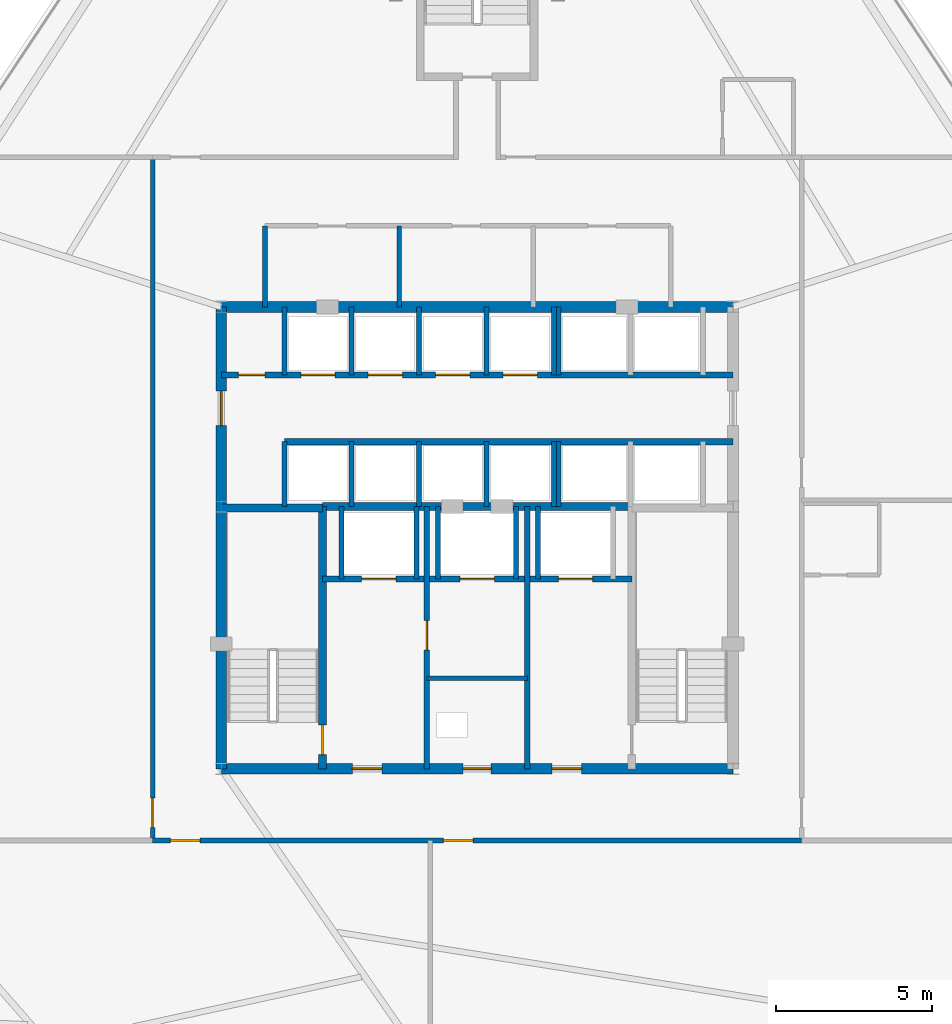
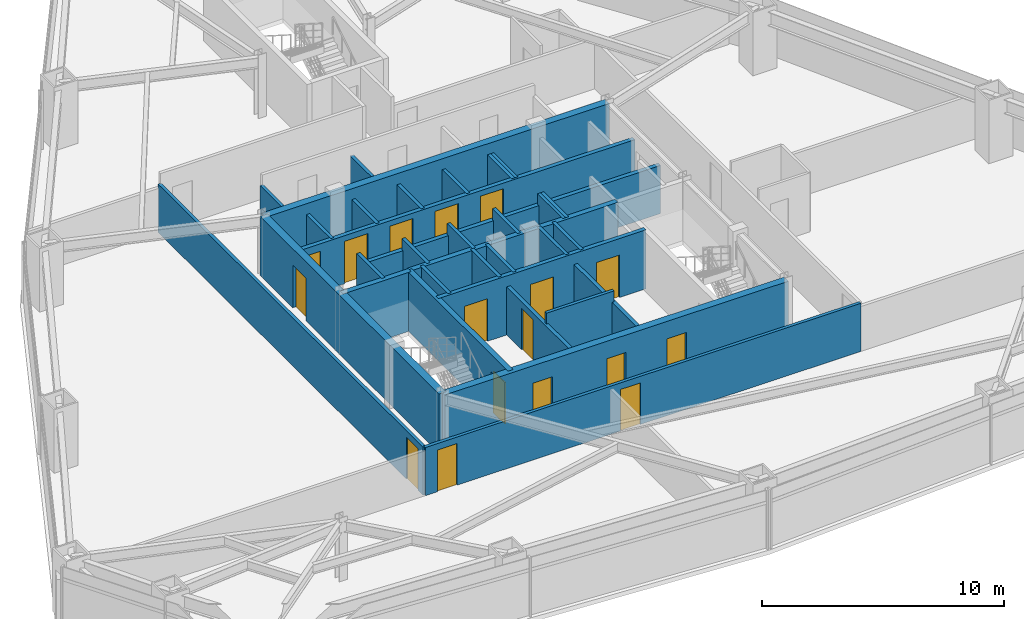
# One storey, part 9 of 12: 33 walls, 17 doors, 17 openings.
"""IFC4 building model written with IfcOpenShell, lengths in metres."""

import ifcopenshell
import ifcopenshell.guid

model = None  # the IFC model being written
_history = None  # IfcOwnerHistory: only IFC2X3 demands one
_inside = {}  # id of a spatial element -> (the spatial element, [elements in it])
_under = {}  # id of a project, library or spatial element -> (it, [spatial elements below it])
_declared = {}  # id of a project -> (the project, [libraries it declares])
_typed = {}  # id of a type object -> (the type object, [elements of that type])
_made_of = {}  # id of a material, layer set ... -> (it, [elements and type objects made of it])


def new_model(schema):
    """Start an empty IFC model of exactly this schema.

    Asked for "IFC4X3", IfcOpenShell would pick the latest addendum, in which some entities
    have other attributes; the version numbers below select the first issue.
    IFC2X3 requires an IfcOwnerHistory on every rooted entity: one is made here for all.
    """
    global model, _history
    if schema == "IFC4X3":
        model = ifcopenshell.file(schema_version=(4, 3, 0, 0))
    else:
        model = ifcopenshell.file(schema=schema)
    _inside.clear()
    _under.clear()
    _declared.clear()
    _typed.clear()
    _made_of.clear()
    _history = None
    if model.schema == "IFC2X3":
        org = make("IfcOrganization", Name="unknown")
        user = make(
            "IfcPersonAndOrganization",
            ThePerson=make("IfcPerson", FamilyName="unknown"),
            TheOrganization=org,
        )
        app = make(
            "IfcApplication",
            ApplicationDeveloper=org,
            Version="unknown",
            ApplicationFullName="unknown",
            ApplicationIdentifier="unknown",
        )
        _history = make(
            "IfcOwnerHistory",
            OwningUser=user,
            OwningApplication=app,
            ChangeAction="ADDED",
            CreationDate=0,
        )
    return model


def make(cls, **values):
    """One entity of the class cls with the attributes given. An attribute that is None is left unset."""
    return model.create_entity(
        cls, **{name: value for name, value in values.items() if value is not None}
    )


def rooted(cls, **values):
    """An entity with a GlobalId (a new one), such as an element, a storey or a relation."""
    return make(cls, GlobalId=ifcopenshell.guid.new(), OwnerHistory=_history, **values)


def si_unit(unit_type, name, prefix=None):
    """IfcSIUnit, for example si_unit("LENGTHUNIT", "METRE", prefix="MILLI")."""
    return make("IfcSIUnit", UnitType=unit_type, Prefix=prefix, Name=name)


def assignment(units):
    """IfcUnitAssignment: the units of a project."""
    return None if units is None else make("IfcUnitAssignment", Units=units)


def point(xyz):
    """IfcCartesianPoint."""
    return None if xyz is None else make("IfcCartesianPoint", Coordinates=xyz)


def direction(xyz):
    """IfcDirection."""
    return None if xyz is None else make("IfcDirection", DirectionRatios=xyz)


def frame(location, z_axis=None, x_axis=None):
    """IfcAxis2Placement3D, a coordinate frame: its origin and axes. An axis left out is left unset."""
    return make(
        "IfcAxis2Placement3D",
        Location=point(location),
        Axis=direction(z_axis),
        RefDirection=direction(x_axis),
    )


def frame_2d(location, x_axis=None):
    """IfcAxis2Placement2D, a coordinate frame in the plane: its origin and x axis."""
    return make(
        "IfcAxis2Placement2D", Location=point(location), RefDirection=direction(x_axis)
    )


def origin():
    """The frame at (0, 0, 0) with its axes left unset."""
    return frame((0.0, 0.0, 0.0))


def place(relative_to, where):
    """IfcLocalPlacement: puts the frame where relative to a parent placement (None: the world)."""
    return make(
        "IfcLocalPlacement", PlacementRelTo=relative_to, RelativePlacement=where
    )


def context(
    kind, dimensions, precision=None, world=None, true_north=None, identifier=None
):
    """IfcGeometricRepresentationContext, for example the 3D "Model" context."""
    return make(
        "IfcGeometricRepresentationContext",
        ContextIdentifier=identifier,
        ContextType=kind,
        CoordinateSpaceDimension=dimensions,
        Precision=precision,
        WorldCoordinateSystem=world,
        TrueNorth=true_north,
    )


def subcontext(parent, identifier, kind, view, scale=None):
    """IfcGeometricRepresentationSubContext, for example "Body" below "Model"."""
    return make(
        "IfcGeometricRepresentationSubContext",
        ContextIdentifier=identifier,
        ContextType=kind,
        ParentContext=parent,
        TargetScale=scale,
        TargetView=view,
    )


def project(units=None, contexts=None):
    """IfcProject with its units and contexts."""
    return rooted(
        "IfcProject",
        Name="project",
        RepresentationContexts=contexts,
        UnitsInContext=assignment(units),
    )


def spatial(cls, under=None, at=None, **own):
    """A site, building, storey or space (cls), placed at a placement, below another one or the project."""
    s = rooted(cls, ObjectPlacement=at, **own)
    if under is not None:
        _under.setdefault(under.id(), (under, []))[1].append(s)
    return s


def profile(cls, at=None, kind="AREA", **sizes):
    """A parametric profile (cls). Its sizes go by their IFC names, for example OverallWidth=200.0."""
    return make(cls, ProfileType=kind, Position=at, **sizes)


def rectangle(**sizes):
    """IfcRectangleProfileDef."""
    return profile("IfcRectangleProfileDef", **sizes)


def extrude(swept, where, along, depth):
    """IfcExtrudedAreaSolid: the profile swept, set in the frame where, extruded along a direction by depth."""
    return make(
        "IfcExtrudedAreaSolid",
        SweptArea=swept,
        Position=where,
        ExtrudedDirection=direction(along),
        Depth=depth,
    )


def shape(context_of_items, identifier, shape_type, items):
    """IfcShapeRepresentation: the items that make up one representation, for example the "Body"."""
    return make(
        "IfcShapeRepresentation",
        ContextOfItems=context_of_items,
        RepresentationIdentifier=identifier,
        RepresentationType=shape_type,
        Items=items,
    )


def material(Name=None, Category=None):
    """IfcMaterial."""
    return make("IfcMaterial", Name=Name, Category=Category)


def layer(
    of_material, thickness, ventilated=None, Name=None, Category=None, Priority=None
):
    """IfcMaterialLayer: one layer of a wall or slab, of a material (None: an air gap)."""
    return make(
        "IfcMaterialLayer",
        Material=of_material,
        LayerThickness=thickness,
        IsVentilated=ventilated,
        Name=Name,
        Category=Category,
        Priority=Priority,
    )


def layer_set(layers, Name=None):
    """IfcMaterialLayerSet."""
    return make("IfcMaterialLayerSet", MaterialLayers=layers, LayerSetName=Name)


def made_of(thing, what):
    """Note that an element or type object is made of a material, layer set ...; save() writes the relation."""
    if what is not None:
        _made_of.setdefault(what.id(), (what, []))[1].append(thing)
    return thing


def type_object(cls, material=None, **own):
    """A type object (cls), such as IfcWallType, which elements share."""
    return made_of(rooted(cls, **own), material)


def element(
    cls,
    number,
    at=None,
    inside=None,
    cuts=None,
    type_object=None,
    material=None,
    context=None,
    identifier="Body",
    shape_type=None,
    held_by="IfcProductDefinitionShape",
    body=None,
    shapes=None,
    **own,
):
    """One element of the class cls, such as IfcWall. Its Tag is "e" and its number.

    at: its placement. inside: the storey or other place that contains it. cuts: it is an
    opening in that element (IfcRelVoidsElement). A single representation is given by context,
    identifier, shape_type and body (its items); several are given by shapes. held_by: the class
    of the entity that holds the representations. save() writes the other relations.
    """
    e = rooted(cls, Tag="e%d" % number, ObjectPlacement=at, **own)
    if body is not None:
        shapes = [shape(context, identifier, shape_type, body)]
    if shapes is not None:
        e.Representation = make(held_by, Representations=shapes)
    if inside is not None:
        _inside.setdefault(inside.id(), (inside, []))[1].append(e)
    if cuts is not None:
        rooted(
            "IfcRelVoidsElement", RelatingBuildingElement=cuts, RelatedOpeningElement=e
        )
    if type_object is not None:
        _typed.setdefault(type_object.id(), (type_object, []))[1].append(e)
    return made_of(e, material)


def fill(opening, filler):
    """IfcRelFillsElement: the door or window that sits in an opening."""
    return rooted(
        "IfcRelFillsElement",
        RelatingOpeningElement=opening,
        RelatedBuildingElement=filler,
    )


def aggregate(whole, parts):
    """IfcRelAggregates: a whole, such as a stair, and the parts it consists of."""
    return rooted("IfcRelAggregates", RelatingObject=whole, RelatedObjects=parts)


def save(model, path):
    """Write the relations noted so far, then the file.

    IfcRelAggregates (storeys below a building ...), IfcRelContainedInSpatialStructure (elements
    in a storey), IfcRelDefinesByType, IfcRelAssociatesMaterial and IfcRelDeclares: one each for
    every whole, place, type object, material and project.
    """
    for whole, parts in _under.values():
        aggregate(whole, parts)
    for where, things in _inside.values():
        rooted(
            "IfcRelContainedInSpatialStructure",
            RelatedElements=things,
            RelatingStructure=where,
        )
    for kind, things in _typed.values():
        rooted("IfcRelDefinesByType", RelatedObjects=things, RelatingType=kind)
    for what, things in _made_of.values():
        rooted("IfcRelAssociatesMaterial", RelatedObjects=things, RelatingMaterial=what)
    for by, libraries in _declared.values():
        rooted("IfcRelDeclares", RelatingContext=by, RelatedDefinitions=libraries)
    model.write(path)


model = new_model("IFC4")

# Units and contexts
model_context = context("Model", 3, precision=1e-05, world=origin(), true_north=direction((0.0, 1.0)))
body_context = subcontext(model_context, "Body", "Model", "MODEL_VIEW")
ifc_project = project(units=[si_unit("LENGTHUNIT", "METRE"), si_unit("AREAUNIT", "SQUARE_METRE"), si_unit("VOLUMEUNIT", "CUBIC_METRE"), si_unit("PLANEANGLEUNIT", "RADIAN"), si_unit("MASSUNIT", "GRAM", prefix="KILO")], contexts=[model_context])

# Site, building, storey
site_placement = place(None, origin())
site = spatial("IfcSite", under=ifc_project, at=site_placement, CompositionType="ELEMENT")
building_placement = place(site_placement, origin())
building = spatial("IfcBuilding", under=site, at=building_placement, Name="Varakhsha Concourse Tower", CompositionType="ELEMENT")
storey_placement = place(building_placement, frame((0.0, 0.0, 62.39990234375)))
storey = spatial("IfcBuildingStorey", under=building, at=storey_placement, Name="L17", CompositionType="ELEMENT", Elevation=62.39990234375)

# Wall, openings, doors
ifc_material_1 = material(Name="Concrete fc 65 MPa", Category="concrete")
ifc_layer_1 = layer(ifc_material_1, 0.35009765625, Name="WL-CORE-350")
ifc_layer_set_1 = layer_set([ifc_layer_1], Name="Concrete fc 65 MPa")
wall_type_1 = type_object("IfcWallType", Name="WL-CORE-350", PredefinedType="SHEAR", material=ifc_layer_set_1)
wall_1_placement = place(storey_placement, frame((31.800048828125, 16.39990234375, 0.0), z_axis=(0.0, 0.0, 1.0), x_axis=(1.0, 0.0, 0.0)))
wall_1 = element("IfcWall", 1, at=wall_1_placement, inside=storey, type_object=wall_type_1, Name="L17 Wall CWALL-S-L17", PredefinedType="SHEAR", context=body_context, shape_type="SweptSolid", body=[
    extrude(rectangle(XDim=16.39990234375, YDim=0.35009765625, at=frame_2d((8.199951171875, 0.0))), origin(), (0.0, 0.0, 1.0), 2.97998046875),
])
opening_1_placement = place(wall_1_placement, frame((7.75, 0.0, 0.0)))
opening_1 = element("IfcOpeningElement", 2, at=opening_1_placement, cuts=wall_1, Name="Opening DF-06", PredefinedType="OPENING", context=body_context, shape_type="SweptSolid", body=[
    extrude(rectangle(XDim=0.89990234375, YDim=2.10009765625, at=frame_2d((0.449951171875, 1.050048828125))), frame((0.0, 0.18505859375, 0.0), z_axis=(0.0, -1.0, 0.0), x_axis=(1.0, 0.0, 0.0)), (0.0, 0.0, 1.0), 0.3701171875),
])
opening_2_placement = place(wall_1_placement, frame((4.199951171875, 0.0, 0.0)))
opening_2 = element("IfcOpeningElement", 3, at=opening_2_placement, cuts=wall_1, Name="Opening DF-05", PredefinedType="OPENING", context=body_context, shape_type="SweptSolid", body=[
    extrude(rectangle(XDim=0.949951171875, YDim=2.10009765625, at=frame_2d((0.47509765625, 1.050048828125))), frame((0.0, 0.18505859375, 0.0), z_axis=(0.0, -1.0, 0.0), x_axis=(1.0, 0.0, 0.0)), (0.0, 0.0, 1.0), 0.3701171875),
])
opening_3_placement = place(wall_1_placement, frame((10.60009765625, 0.0, 0.0)))
opening_3 = element("IfcOpeningElement", 4, at=opening_3_placement, cuts=wall_1, Name="Opening DF-05", PredefinedType="OPENING", context=body_context, shape_type="SweptSolid", body=[
    extrude(rectangle(XDim=0.949951171875, YDim=2.10009765625, at=frame_2d((0.47509765625, 1.050048828125))), frame((0.0, 0.18505859375, 0.0), z_axis=(0.0, -1.0, 0.0), x_axis=(1.0, 0.0, 0.0)), (0.0, 0.0, 1.0), 0.3701171875),
])
ifc_material_2 = material(Name="Hollow Galvanised Steel Fire Door Assembly", Category="steel")
door_type_1 = type_object("IfcDoorType", Name="DR-FD60-900", OperationType="NOTDEFINED", PredefinedType="DOOR", material=ifc_material_2)
door_1_placement = place(opening_1_placement, origin())
door_1 = element("IfcDoor", 5, at=door_1_placement, inside=storey, type_object=door_type_1, Name="L17 Electrical Riser Access Door", OperationType="SINGLE_SWING_LEFT", OverallHeight=2.10009765625, OverallWidth=0.89990234375, PredefinedType="DOOR", context=body_context, shape_type="SweptSolid", body=[
    extrude(rectangle(XDim=0.89990234375, YDim=2.10009765625, at=frame_2d((0.449951171875, 1.050048828125))), frame((0.0, 0.02490234375, 0.0), z_axis=(0.0, -1.0, 0.0), x_axis=(1.0, 0.0, 0.0)), (0.0, 0.0, 1.0), 0.050048828125),
])
fill(opening_1, door_1)
door_type_2 = type_object("IfcDoorType", Name="DR-FD60-950", OperationType="NOTDEFINED", PredefinedType="DOOR", material=ifc_material_2)
door_2_placement = place(opening_2_placement, origin())
door_2 = element("IfcDoor", 6, at=door_2_placement, inside=storey, type_object=door_type_2, Name="L17 Firefighting Lobby West Door", OperationType="SINGLE_SWING_RIGHT", OverallHeight=2.10009765625, OverallWidth=0.949951171875, PredefinedType="DOOR", context=body_context, shape_type="SweptSolid", body=[
    extrude(rectangle(XDim=0.949951171875, YDim=2.10009765625, at=frame_2d((0.47509765625, 1.050048828125))), frame((0.0, 0.02490234375, 0.0), z_axis=(0.0, -1.0, 0.0), x_axis=(1.0, 0.0, 0.0)), (0.0, 0.0, 1.0), 0.050048828125),
])
fill(opening_2, door_2)
door_3_placement = place(opening_3_placement, origin())
door_3 = element("IfcDoor", 7, at=door_3_placement, inside=storey, type_object=door_type_2, Name="L17 Firefighting Lobby East Door", OperationType="SINGLE_SWING_LEFT", OverallHeight=2.10009765625, OverallWidth=0.949951171875, PredefinedType="DOOR", context=body_context, shape_type="SweptSolid", body=[
    extrude(rectangle(XDim=0.949951171875, YDim=2.10009765625, at=frame_2d((0.47509765625, 1.050048828125))), frame((0.0, 0.02490234375, 0.0), z_axis=(0.0, -1.0, 0.0), x_axis=(1.0, 0.0, 0.0)), (0.0, 0.0, 1.0), 0.050048828125),
])
fill(opening_3, door_3)

# Wall
wall_2_placement = place(storey_placement, frame((31.800048828125, 31.199951171875, 0.0), z_axis=(0.0, 0.0, 1.0), x_axis=(1.0, 0.0, 0.0)))
element("IfcWall", 8, at=wall_2_placement, inside=storey, type_object=wall_type_1, Name="L17 Wall CWALL-N-L17", PredefinedType="SHEAR", context=body_context, shape_type="SweptSolid", body=[
    extrude(rectangle(XDim=16.39990234375, YDim=0.35009765625, at=frame_2d((8.199951171875, 0.0))), origin(), (0.0, 0.0, 1.0), 2.97998046875),
])

# Wall, opening, door
wall_3_placement = place(storey_placement, frame((31.800048828125, 16.39990234375, 0.0), z_axis=(0.0, 0.0, 1.0), x_axis=(0.0, 1.0, 0.0)))
wall_3 = element("IfcWall", 9, at=wall_3_placement, inside=storey, type_object=wall_type_1, Name="L17 Wall CWALL-W-L17", PredefinedType="SHEAR", context=body_context, shape_type="SweptSolid", body=[
    extrude(rectangle(XDim=14.800048828125, YDim=0.35009765625, at=frame_2d((7.39990234375, 0.0))), origin(), (0.0, 0.0, 1.0), 2.97998046875),
])
opening_4_placement = place(wall_3_placement, frame((11.0, 0.0, 0.0)))
opening_4 = element("IfcOpeningElement", 10, at=opening_4_placement, cuts=wall_3, Name="Opening DL-01", PredefinedType="OPENING", context=body_context, shape_type="SweptSolid", body=[
    extrude(rectangle(XDim=1.10009765625, YDim=2.14990234375, at=frame_2d((0.550048828125, 1.074951171875))), frame((0.0, 0.18505859375, 0.0), z_axis=(0.0, -1.0, 0.0), x_axis=(1.0, 0.0, 0.0)), (0.0, 0.0, 1.0), 0.3701171875),
])
ifc_material_3 = material(Name="Anodised Bronze Architectural Aluminium AA 6063-T6", Category="aluminium")
door_type_3 = type_object("IfcDoorType", Name="DR-LOB-1100", OperationType="NOTDEFINED", PredefinedType="DOOR", material=ifc_material_3)
door_4_placement = place(opening_4_placement, origin())
door_4 = element("IfcDoor", 11, at=door_4_placement, inside=storey, type_object=door_type_3, Name="L17 Lift Lobby West Concourse Door", OperationType="SINGLE_SWING_LEFT", OverallHeight=2.14990234375, OverallWidth=1.10009765625, PredefinedType="DOOR", context=body_context, shape_type="SweptSolid", body=[
    extrude(rectangle(XDim=1.10009765625, YDim=2.14990234375, at=frame_2d((0.550048828125, 1.074951171875))), frame((0.0, 0.02490234375, 0.0), z_axis=(0.0, -1.0, 0.0), x_axis=(1.0, 0.0, 0.0)), (0.0, 0.0, 1.0), 0.050048828125),
])
fill(opening_4, door_4)

ifc_material_4 = material(Name="Fire-Rated Type X Gypsum Partition Assembly", Category="gypsum")
ifc_layer_2 = layer(ifc_material_4, 0.179931640625, Name="WL-FFLOB-180")
ifc_layer_set_2 = layer_set([ifc_layer_2], Name="Fire-Rated Type X Gypsum Partition Assembly")
wall_type_2 = type_object("IfcWallType", Name="WL-FFLOB-180", PredefinedType="PARTITIONING", material=ifc_layer_set_2)
wall_4_placement = place(storey_placement, frame((38.389892578125, 16.39990234375, 0.0), z_axis=(0.0, 0.0, 1.0), x_axis=(0.0, 1.0, 0.0)))
wall_4 = element("IfcWall", 12, at=wall_4_placement, inside=storey, type_object=wall_type_2, Name="L17 Wall FFW-1E-L17", PredefinedType="PARTITIONING", context=body_context, shape_type="SweptSolid", body=[
    extrude(rectangle(XDim=8.400146484375, YDim=0.179931640625, at=frame_2d((4.2001953125, 0.0))), origin(), (0.0, 0.0, 1.0), 2.43115234375),
])
opening_5_placement = place(wall_4_placement, frame((3.800048828125, 0.0, 0.0)))
opening_5 = element("IfcOpeningElement", 13, at=opening_5_placement, cuts=wall_4, Name="Opening DF-05", PredefinedType="OPENING", context=body_context, shape_type="SweptSolid", body=[
    extrude(rectangle(XDim=0.949951171875, YDim=2.10009765625, at=frame_2d((0.47509765625, 1.050048828125))), frame((0.0, 0.099853515625, 0.0), z_axis=(0.0, -1.0, 0.0), x_axis=(1.0, 0.0, 0.0)), (0.0, 0.0, 1.0), 0.199951171875),
])
door_5_placement = place(opening_5_placement, origin())
door_5 = element("IfcDoor", 14, at=door_5_placement, inside=storey, type_object=door_type_2, Name="L17 Service Vestibule Door", OperationType="SINGLE_SWING_RIGHT", OverallHeight=2.10009765625, OverallWidth=0.949951171875, PredefinedType="DOOR", context=body_context, shape_type="SweptSolid", body=[
    extrude(rectangle(XDim=0.949951171875, YDim=2.10009765625, at=frame_2d((0.47509765625, 1.050048828125))), frame((0.0, 0.02490234375, 0.0), z_axis=(0.0, -1.0, 0.0), x_axis=(1.0, 0.0, 0.0)), (0.0, 0.0, 1.0), 0.050048828125),
])
fill(opening_5, door_5)

# Walls
wall_5_placement = place(storey_placement, frame((41.610107421875, 16.39990234375, 0.0), z_axis=(0.0, 0.0, 1.0), x_axis=(0.0, 1.0, 0.0)))
element("IfcWall", 15, at=wall_5_placement, inside=storey, type_object=wall_type_2, Name="L17 Wall FFW-2W-L17", PredefinedType="PARTITIONING", context=body_context, shape_type="SweptSolid", body=[
    extrude(rectangle(XDim=8.400146484375, YDim=0.179931640625, at=frame_2d((4.2001953125, 0.0))), origin(), (0.0, 0.0, 1.0), 2.43115234375),
])
ifc_layer_3 = layer(ifc_material_4, 0.14990234375, Name="WL-PART-150")
ifc_layer_set_3 = layer_set([ifc_layer_3], Name="Fire-Rated Type X Gypsum Partition Assembly")
wall_type_3 = type_object("IfcWallType", Name="WL-PART-150", PredefinedType="PARTITIONING", material=ifc_layer_set_3)
wall_6_placement = place(storey_placement, frame((38.389892578125, 19.300048828125, 0.0), z_axis=(0.0, 0.0, 1.0), x_axis=(1.0, 0.0, 0.0)))
element("IfcWall", 16, at=wall_6_placement, inside=storey, type_object=wall_type_3, Name="L17 Wall RSW-H-L17", PredefinedType="PARTITIONING", context=body_context, shape_type="SweptSolid", body=[
    extrude(rectangle(XDim=3.22021484375, YDim=0.14990234375, at=frame_2d((1.610107421875, 0.0))), origin(), (0.0, 0.0, 1.0), 2.97998046875),
])
for number, where, z_axis, x_axis, name in (
    (17, (33.199951171875, 31.199951171875, 0.0), (0.0, 0.0, 1.0), (0.0, 1.0, 0.0), "L17 Wall NBOH-W-L17"),
    (18, (37.5, 31.199951171875, 0.0), (0.0, 0.0, 1.0), (0.0, 1.0, 0.0), "L17 Wall NBOH-D1-L17"),
):
    element("IfcWall", number, at=place(storey_placement, frame(where, z_axis=z_axis, x_axis=x_axis)), inside=storey, type_object=wall_type_3, Name=name, PredefinedType="PARTITIONING", context=body_context, shape_type="SweptSolid", body=[
        extrude(rectangle(XDim=2.60009765625, YDim=0.14990234375, at=frame_2d((1.300048828125, 0.0))), origin(), (0.0, 0.0, 1.0), 2.43115234375),
    ])

# Wall, openings, doors
wall_7_placement = place(storey_placement, frame((29.60009765625, 14.10009765625, 0.0), z_axis=(0.0, 0.0, 1.0), x_axis=(1.0, 0.0, 0.0)))
wall_7 = element("IfcWall", 19, at=wall_7_placement, inside=storey, type_object=wall_type_3, Name="L17 Wall CRW-S-L17", PredefinedType="PARTITIONING", context=body_context, shape_type="SweptSolid", body=[
    extrude(rectangle(XDim=20.7998046875, YDim=0.14990234375, at=frame_2d((10.39990234375, 0.0))), origin(), (0.0, 0.0, 1.0), 2.43115234375),
])
opening_6_placement = place(wall_7_placement, frame((0.570068359375, 0.0, 0.0)))
opening_6 = element("IfcOpeningElement", 20, at=opening_6_placement, cuts=wall_7, Name="Opening DF-05", PredefinedType="OPENING", context=body_context, shape_type="SweptSolid", body=[
    extrude(rectangle(XDim=0.949951171875, YDim=2.10009765625, at=frame_2d((0.47509765625, 1.050048828125))), frame((0.0, 0.0849609375, 0.0), z_axis=(0.0, -1.0, 0.0), x_axis=(1.0, 0.0, 0.0)), (0.0, 0.0, 1.0), 0.169921875),
])
opening_7_placement = place(wall_7_placement, frame((9.320068359375, 0.0, 0.0)))
opening_7 = element("IfcOpeningElement", 21, at=opening_7_placement, cuts=wall_7, Name="Opening DF-05", PredefinedType="OPENING", context=body_context, shape_type="SweptSolid", body=[
    extrude(rectangle(XDim=0.949951171875, YDim=2.10009765625, at=frame_2d((0.47509765625, 1.050048828125))), frame((0.0, 0.0849609375, 0.0), z_axis=(0.0, -1.0, 0.0), x_axis=(1.0, 0.0, 0.0)), (0.0, 0.0, 1.0), 0.169921875),
])
door_6_placement = place(opening_6_placement, origin())
door_6 = element("IfcDoor", 22, at=door_6_placement, inside=storey, type_object=door_type_2, Name="L17 Hotel Executive Salon L17-H01 Door", OperationType="SINGLE_SWING_LEFT", OverallHeight=2.10009765625, OverallWidth=0.949951171875, PredefinedType="DOOR", context=body_context, shape_type="SweptSolid", body=[
    extrude(rectangle(XDim=0.949951171875, YDim=2.10009765625, at=frame_2d((0.47509765625, 1.050048828125))), frame((0.0, 0.02490234375, 0.0), z_axis=(0.0, -1.0, 0.0), x_axis=(1.0, 0.0, 0.0)), (0.0, 0.0, 1.0), 0.050048828125),
])
fill(opening_6, door_6)
door_7_placement = place(opening_7_placement, origin())
door_7 = element("IfcDoor", 23, at=door_7_placement, inside=storey, type_object=door_type_2, Name="L17 Diplomatic Conservatory Salon L17-H02 Door", OperationType="SINGLE_SWING_RIGHT", OverallHeight=2.10009765625, OverallWidth=0.949951171875, PredefinedType="DOOR", context=body_context, shape_type="SweptSolid", body=[
    extrude(rectangle(XDim=0.949951171875, YDim=2.10009765625, at=frame_2d((0.47509765625, 1.050048828125))), frame((0.0, 0.02490234375, 0.0), z_axis=(0.0, -1.0, 0.0), x_axis=(1.0, 0.0, 0.0)), (0.0, 0.0, 1.0), 0.050048828125),
])
fill(opening_7, door_7)

# Wall, opening, door
wall_8_placement = place(storey_placement, frame((29.60009765625, 14.10009765625, 0.0), z_axis=(0.0, 0.0, 1.0), x_axis=(0.0, 1.0, 0.0)))
wall_8 = element("IfcWall", 24, at=wall_8_placement, inside=storey, type_object=wall_type_3, Name="L17 Wall CRW-W-L17", PredefinedType="PARTITIONING", context=body_context, shape_type="SweptSolid", body=[
    extrude(rectangle(XDim=21.89990234375, YDim=0.14990234375, at=frame_2d((10.949951171875, 0.0))), origin(), (0.0, 0.0, 1.0), 2.43115234375),
])
opening_8_placement = place(wall_8_placement, frame((0.419921875, 0.0, 0.0)))
opening_8 = element("IfcOpeningElement", 25, at=opening_8_placement, cuts=wall_8, Name="Opening DF-05", PredefinedType="OPENING", context=body_context, shape_type="SweptSolid", body=[
    extrude(rectangle(XDim=0.949951171875, YDim=2.10009765625, at=frame_2d((0.47509765625, 1.050048828125))), frame((0.0, 0.0849609375, 0.0), z_axis=(0.0, -1.0, 0.0), x_axis=(1.0, 0.0, 0.0)), (0.0, 0.0, 1.0), 0.169921875),
])
door_8_placement = place(opening_8_placement, origin())
door_8 = element("IfcDoor", 26, at=door_8_placement, inside=storey, type_object=door_type_2, Name="L17 Diplomatic Conservatory Salon L17-H03 Door", OperationType="SINGLE_SWING_LEFT", OverallHeight=2.10009765625, OverallWidth=0.949951171875, PredefinedType="DOOR", context=body_context, shape_type="SweptSolid", body=[
    extrude(rectangle(XDim=0.949951171875, YDim=2.10009765625, at=frame_2d((0.47509765625, 1.050048828125))), frame((0.0, 0.02490234375, 0.0), z_axis=(0.0, -1.0, 0.0), x_axis=(1.0, 0.0, 0.0)), (0.0, 0.0, 1.0), 0.050048828125),
])
fill(opening_8, door_8)

# Wall, openings, doors
ifc_layer_4 = layer(ifc_material_4, 0.199951171875, Name="WL-SHAFT-220")
ifc_layer_set_4 = layer_set([ifc_layer_4], Name="Fire-Rated Type X Gypsum Partition Assembly")
wall_type_4 = type_object("IfcWallType", Name="WL-SHAFT-220", PredefinedType="SOLIDWALL", material=ifc_layer_set_4)
wall_9_placement = place(storey_placement, frame((35.044921875, 22.47998046875, 0.0), z_axis=(0.0, 0.0, 1.0), x_axis=(1.0, 0.0, 0.0)))
wall_9 = element("IfcWall", 27, at=wall_9_placement, inside=storey, type_object=wall_type_4, Name="L17 Wall FFW-NH-L17", PredefinedType="SOLIDWALL", context=body_context, shape_type="SweptSolid", body=[
    extrude(rectangle(XDim=9.91015625, YDim=0.199951171875, at=frame_2d((4.955078125, 0.0))), origin(), (0.0, 0.0, 1.0), 2.97998046875),
])
opening_9_placement = place(wall_9_placement, frame((1.2548828125, 0.0, 0.0)))
opening_9 = element("IfcOpeningElement", 28, at=opening_9_placement, cuts=wall_9, Name="Opening LD-FFL-1", PredefinedType="OPENING", context=body_context, shape_type="SweptSolid", body=[
    extrude(rectangle(XDim=1.10009765625, YDim=2.14990234375, at=frame_2d((0.550048828125, 1.074951171875))), frame((0.0, 0.10986328125, 0.0), z_axis=(0.0, -1.0, 0.0), x_axis=(1.0, 0.0, 0.0)), (0.0, 0.0, 1.0), 0.219970703125),
])
opening_10_placement = place(wall_9_placement, frame((7.554931640625, 0.0, 0.0)))
opening_10 = element("IfcOpeningElement", 29, at=opening_10_placement, cuts=wall_9, Name="Opening LD-FFL-2", PredefinedType="OPENING", context=body_context, shape_type="SweptSolid", body=[
    extrude(rectangle(XDim=1.10009765625, YDim=2.14990234375, at=frame_2d((0.550048828125, 1.074951171875))), frame((0.0, 0.10986328125, 0.0), z_axis=(0.0, -1.0, 0.0), x_axis=(1.0, 0.0, 0.0)), (0.0, 0.0, 1.0), 0.219970703125),
])
opening_11_placement = place(wall_9_placement, frame((4.405029296875, 0.0, 0.0)))
opening_11 = element("IfcOpeningElement", 30, at=opening_11_placement, cuts=wall_9, Name="Opening LD-SVL-1", PredefinedType="OPENING", context=body_context, shape_type="SweptSolid", body=[
    extrude(rectangle(XDim=1.10009765625, YDim=2.14990234375, at=frame_2d((0.550048828125, 1.074951171875))), frame((0.0, 0.10986328125, 0.0), z_axis=(0.0, -1.0, 0.0), x_axis=(1.0, 0.0, 0.0)), (0.0, 0.0, 1.0), 0.219970703125),
])
ifc_material_5 = material(Name="Brushed Austenitic Stainless Steel AISI 316", Category="steel")
door_type_4 = type_object("IfcDoorType", Name="DR-LD-1100", OperationType="DOUBLE_DOOR_SLIDING", PredefinedType="DOOR", material=ifc_material_5)
door_9_placement = place(opening_9_placement, origin())
door_9 = element("IfcDoor", 31, at=door_9_placement, inside=storey, type_object=door_type_4, Name="Lift Landing Door FFL-1 L17", OperationType="DOUBLE_DOOR_SLIDING", OverallHeight=2.14990234375, OverallWidth=1.10009765625, PredefinedType="DOOR", context=body_context, shape_type="SweptSolid", body=[
    extrude(rectangle(XDim=1.10009765625, YDim=2.14990234375, at=frame_2d((0.550048828125, 1.074951171875))), frame((0.0, 0.02490234375, 0.0), z_axis=(0.0, -1.0, 0.0), x_axis=(1.0, 0.0, 0.0)), (0.0, 0.0, 1.0), 0.050048828125),
])
fill(opening_9, door_9)
door_10_placement = place(opening_10_placement, origin())
door_10 = element("IfcDoor", 32, at=door_10_placement, inside=storey, type_object=door_type_4, Name="Lift Landing Door FFL-2 L17", OperationType="DOUBLE_DOOR_SLIDING", OverallHeight=2.14990234375, OverallWidth=1.10009765625, PredefinedType="DOOR", context=body_context, shape_type="SweptSolid", body=[
    extrude(rectangle(XDim=1.10009765625, YDim=2.14990234375, at=frame_2d((0.550048828125, 1.074951171875))), frame((0.0, 0.02490234375, 0.0), z_axis=(0.0, -1.0, 0.0), x_axis=(1.0, 0.0, 0.0)), (0.0, 0.0, 1.0), 0.050048828125),
])
fill(opening_10, door_10)
door_11_placement = place(opening_11_placement, origin())
door_11 = element("IfcDoor", 33, at=door_11_placement, inside=storey, type_object=door_type_4, Name="Lift Landing Door SVL-1 L17", OperationType="DOUBLE_DOOR_SLIDING", OverallHeight=2.14990234375, OverallWidth=1.10009765625, PredefinedType="DOOR", context=body_context, shape_type="SweptSolid", body=[
    extrude(rectangle(XDim=1.10009765625, YDim=2.14990234375, at=frame_2d((0.550048828125, 1.074951171875))), frame((0.0, 0.02490234375, 0.0), z_axis=(0.0, -1.0, 0.0), x_axis=(1.0, 0.0, 0.0)), (0.0, 0.0, 1.0), 0.050048828125),
])
fill(opening_11, door_11)

# Walls
for number, where, z_axis, x_axis, name in (
    (34, (35.64990234375, 22.47998046875, 0.0), (0.0, 0.0, 1.0), (0.0, 1.0, 0.0), "L17 Wall SHW-FFL-1-W-L17"),
    (35, (38.050048828125, 22.47998046875, 0.0), (0.0, 0.0, 1.0), (0.0, 1.0, 0.0), "L17 Wall SHW-FFL-1-E-L17"),
    (36, (41.949951171875, 22.47998046875, 0.0), (0.0, 0.0, 1.0), (0.0, 1.0, 0.0), "L17 Wall SHW-FFL-2-W-L17"),
    (37, (38.75, 22.47998046875, 0.0), (0.0, 0.0, 1.0), (0.0, 1.0, 0.0), "L17 Wall SHW-SVL-1-W-L17"),
    (38, (41.25, 22.47998046875, 0.0), (0.0, 0.0, 1.0), (0.0, 1.0, 0.0), "L17 Wall SHW-SVL-1-E-L17"),
):
    element("IfcWall", number, at=place(storey_placement, frame(where, z_axis=z_axis, x_axis=x_axis)), inside=storey, type_object=wall_type_4, Name=name, PredefinedType="SOLIDWALL", context=body_context, shape_type="SweptSolid", body=[
        extrude(rectangle(XDim=2.320068359375, YDim=0.159912109375, at=frame_2d((1.16015625, 0.0))), origin(), (0.0, 0.0, 1.0), 2.97998046875),
    ])

# Wall, openings, doors
wall_10_placement = place(storey_placement, frame((31.800048828125, 29.02001953125, 0.0), z_axis=(0.0, 0.0, 1.0), x_axis=(1.0, 0.0, 0.0)))
wall_10 = element("IfcWall", 39, at=wall_10_placement, inside=storey, type_object=wall_type_4, Name="L17 Wall PLW-N-L17", PredefinedType="SOLIDWALL", context=body_context, shape_type="SweptSolid", body=[
    extrude(rectangle(XDim=16.39990234375, YDim=0.199951171875, at=frame_2d((8.199951171875, 0.0))), origin(), (0.0, 0.0, 1.0), 2.43115234375),
])
opening_12_placement = place(wall_10_placement, frame((0.550048828125, 0.0, 0.0)))
opening_12 = element("IfcOpeningElement", 40, at=opening_12_placement, cuts=wall_10, Name="Opening DF-07", PredefinedType="OPENING", context=body_context, shape_type="SweptSolid", body=[
    extrude(rectangle(XDim=0.85009765625, YDim=2.050048828125, at=frame_2d((0.425048828125, 1.02490234375))), frame((0.0, 0.10986328125, 0.0), z_axis=(0.0, -1.0, 0.0), x_axis=(1.0, 0.0, 0.0)), (0.0, 0.0, 1.0), 0.219970703125),
])
opening_13_placement = place(wall_10_placement, frame((2.550048828125, 0.0, 0.0)))
opening_13 = element("IfcOpeningElement", 41, at=opening_13_placement, cuts=wall_10, Name="Opening LD-LF-P01", PredefinedType="OPENING", context=body_context, shape_type="SweptSolid", body=[
    extrude(rectangle(XDim=1.10009765625, YDim=2.14990234375, at=frame_2d((0.550048828125, 1.074951171875))), frame((0.0, 0.10986328125, 0.0), z_axis=(0.0, -1.0, 0.0), x_axis=(1.0, 0.0, 0.0)), (0.0, 0.0, 1.0), 0.219970703125),
])
opening_14_placement = place(wall_10_placement, frame((4.7099609375, 0.0, 0.0)))
opening_14 = element("IfcOpeningElement", 42, at=opening_14_placement, cuts=wall_10, Name="Opening LD-LF-P02", PredefinedType="OPENING", context=body_context, shape_type="SweptSolid", body=[
    extrude(rectangle(XDim=1.10009765625, YDim=2.14990234375, at=frame_2d((0.550048828125, 1.074951171875))), frame((0.0, 0.10986328125, 0.0), z_axis=(0.0, -1.0, 0.0), x_axis=(1.0, 0.0, 0.0)), (0.0, 0.0, 1.0), 0.219970703125),
])
opening_15_placement = place(wall_10_placement, frame((6.8701171875, 0.0, 0.0)))
opening_15 = element("IfcOpeningElement", 43, at=opening_15_placement, cuts=wall_10, Name="Opening LD-LF-P03", PredefinedType="OPENING", context=body_context, shape_type="SweptSolid", body=[
    extrude(rectangle(XDim=1.10009765625, YDim=2.14990234375, at=frame_2d((0.550048828125, 1.074951171875))), frame((0.0, 0.10986328125, 0.0), z_axis=(0.0, -1.0, 0.0), x_axis=(1.0, 0.0, 0.0)), (0.0, 0.0, 1.0), 0.219970703125),
])
opening_16_placement = place(wall_10_placement, frame((9.030029296875, 0.0, 0.0)))
opening_16 = element("IfcOpeningElement", 44, at=opening_16_placement, cuts=wall_10, Name="Opening LD-LF-P04", PredefinedType="OPENING", context=body_context, shape_type="SweptSolid", body=[
    extrude(rectangle(XDim=1.10009765625, YDim=2.14990234375, at=frame_2d((0.550048828125, 1.074951171875))), frame((0.0, 0.10986328125, 0.0), z_axis=(0.0, -1.0, 0.0), x_axis=(1.0, 0.0, 0.0)), (0.0, 0.0, 1.0), 0.219970703125),
])
door_type_5 = type_object("IfcDoorType", Name="DR-FD60-850", OperationType="NOTDEFINED", PredefinedType="DOOR", material=ifc_material_2)
door_12_placement = place(opening_12_placement, origin())
door_12 = element("IfcDoor", 45, at=door_12_placement, inside=storey, type_object=door_type_5, Name="L17 Core Janitor Closet Door", OperationType="SINGLE_SWING_LEFT", OverallHeight=2.050048828125, OverallWidth=0.85009765625, PredefinedType="DOOR", context=body_context, shape_type="SweptSolid", body=[
    extrude(rectangle(XDim=0.85009765625, YDim=2.050048828125, at=frame_2d((0.425048828125, 1.02490234375))), frame((0.0, 0.02490234375, 0.0), z_axis=(0.0, -1.0, 0.0), x_axis=(1.0, 0.0, 0.0)), (0.0, 0.0, 1.0), 0.050048828125),
])
fill(opening_12, door_12)
door_13_placement = place(opening_13_placement, origin())
door_13 = element("IfcDoor", 46, at=door_13_placement, inside=storey, type_object=door_type_4, Name="Lift Landing Door LF-P01 L17", OperationType="DOUBLE_DOOR_SLIDING", OverallHeight=2.14990234375, OverallWidth=1.10009765625, PredefinedType="DOOR", context=body_context, shape_type="SweptSolid", body=[
    extrude(rectangle(XDim=1.10009765625, YDim=2.14990234375, at=frame_2d((0.550048828125, 1.074951171875))), frame((0.0, 0.02490234375, 0.0), z_axis=(0.0, -1.0, 0.0), x_axis=(1.0, 0.0, 0.0)), (0.0, 0.0, 1.0), 0.050048828125),
])
fill(opening_13, door_13)
door_14_placement = place(opening_14_placement, origin())
door_14 = element("IfcDoor", 47, at=door_14_placement, inside=storey, type_object=door_type_4, Name="Lift Landing Door LF-P02 L17", OperationType="DOUBLE_DOOR_SLIDING", OverallHeight=2.14990234375, OverallWidth=1.10009765625, PredefinedType="DOOR", context=body_context, shape_type="SweptSolid", body=[
    extrude(rectangle(XDim=1.10009765625, YDim=2.14990234375, at=frame_2d((0.550048828125, 1.074951171875))), frame((0.0, 0.02490234375, 0.0), z_axis=(0.0, -1.0, 0.0), x_axis=(1.0, 0.0, 0.0)), (0.0, 0.0, 1.0), 0.050048828125),
])
fill(opening_14, door_14)
door_15_placement = place(opening_15_placement, origin())
door_15 = element("IfcDoor", 48, at=door_15_placement, inside=storey, type_object=door_type_4, Name="Lift Landing Door LF-P03 L17", OperationType="DOUBLE_DOOR_SLIDING", OverallHeight=2.14990234375, OverallWidth=1.10009765625, PredefinedType="DOOR", context=body_context, shape_type="SweptSolid", body=[
    extrude(rectangle(XDim=1.10009765625, YDim=2.14990234375, at=frame_2d((0.550048828125, 1.074951171875))), frame((0.0, 0.02490234375, 0.0), z_axis=(0.0, -1.0, 0.0), x_axis=(1.0, 0.0, 0.0)), (0.0, 0.0, 1.0), 0.050048828125),
])
fill(opening_15, door_15)
door_16_placement = place(opening_16_placement, origin())
door_16 = element("IfcDoor", 49, at=door_16_placement, inside=storey, type_object=door_type_4, Name="Lift Landing Door LF-P04 L17", OperationType="DOUBLE_DOOR_SLIDING", OverallHeight=2.14990234375, OverallWidth=1.10009765625, PredefinedType="DOOR", context=body_context, shape_type="SweptSolid", body=[
    extrude(rectangle(XDim=1.10009765625, YDim=2.14990234375, at=frame_2d((0.550048828125, 1.074951171875))), frame((0.0, 0.02490234375, 0.0), z_axis=(0.0, -1.0, 0.0), x_axis=(1.0, 0.0, 0.0)), (0.0, 0.0, 1.0), 0.050048828125),
])
fill(opening_16, door_16)

# Walls
wall_11_placement = place(storey_placement, frame((33.820068359375, 26.8798828125, 0.0), z_axis=(0.0, 0.0, 1.0), x_axis=(1.0, 0.0, 0.0)))
element("IfcWall", 50, at=wall_11_placement, inside=storey, type_object=wall_type_4, Name="L17 Wall PLW-S-L17", PredefinedType="SOLIDWALL", context=body_context, shape_type="SweptSolid", body=[
    extrude(rectangle(XDim=14.3798828125, YDim=0.199951171875, at=frame_2d((7.18994140625, 0.0))), origin(), (0.0, 0.0, 1.0), 2.43115234375),
])
wall_12_placement = place(storey_placement, frame((33.820068359375, 29.02001953125, 0.0), z_axis=(0.0, 0.0, 1.0), x_axis=(0.0, 1.0, 0.0)))
element("IfcWall", 51, at=wall_12_placement, inside=storey, type_object=wall_type_4, Name="L17 Wall WBOH-E1-L17", PredefinedType="SOLIDWALL", context=body_context, shape_type="SweptSolid", body=[
    extrude(rectangle(XDim=2.179931640625, YDim=0.159912109375, at=frame_2d((1.08984375, 0.0))), origin(), (0.0, 0.0, 1.0), 2.43115234375),
])
wall_13_placement = place(storey_placement, frame((33.820068359375, 24.800048828125, 0.0), z_axis=(0.0, 0.0, 1.0), x_axis=(0.0, 1.0, 0.0)))
element("IfcWall", 52, at=wall_13_placement, inside=storey, type_object=wall_type_4, Name="L17 Wall WBOH-E2-L17", PredefinedType="SOLIDWALL", context=body_context, shape_type="SweptSolid", body=[
    extrude(rectangle(XDim=2.079833984375, YDim=0.159912109375, at=frame_2d((1.0400390625, 0.0))), origin(), (0.0, 0.0, 1.0), 2.97998046875),
])
for number, where, z_axis, x_axis, name in (
    (53, (35.97998046875, 29.02001953125, 0.0), (0.0, 0.0, 1.0), (0.0, 1.0, 0.0), "L17 Wall SHW-LF-P01-E-L17"),
    (54, (38.139892578125, 29.02001953125, 0.0), (0.0, 0.0, 1.0), (0.0, 1.0, 0.0), "L17 Wall SHW-LF-P02-E-L17"),
    (55, (40.300048828125, 29.02001953125, 0.0), (0.0, 0.0, 1.0), (0.0, 1.0, 0.0), "L17 Wall SHW-LF-P03-E-L17"),
    (56, (42.4599609375, 29.02001953125, 0.0), (0.0, 0.0, 1.0), (0.0, 1.0, 0.0), "L17 Wall SHW-LF-P04-E-L17"),
):
    element("IfcWall", number, at=place(storey_placement, frame(where, z_axis=z_axis, x_axis=x_axis)), inside=storey, type_object=wall_type_4, Name=name, PredefinedType="SOLIDWALL", context=body_context, shape_type="SweptSolid", body=[
        extrude(rectangle(XDim=2.179931640625, YDim=0.159912109375, at=frame_2d((1.08984375, 0.0))), origin(), (0.0, 0.0, 1.0), 2.43115234375),
    ])
for number, where, z_axis, x_axis, name in (
    (57, (35.97998046875, 24.800048828125, 0.0), (0.0, 0.0, 1.0), (0.0, 1.0, 0.0), "L17 Wall SHW-LF-P05-E-L17"),
    (58, (38.139892578125, 24.800048828125, 0.0), (0.0, 0.0, 1.0), (0.0, 1.0, 0.0), "L17 Wall SHW-LF-P06-E-L17"),
    (59, (40.300048828125, 24.800048828125, 0.0), (0.0, 0.0, 1.0), (0.0, 1.0, 0.0), "L17 Wall SHW-LF-P07-E-L17"),
    (60, (42.4599609375, 24.800048828125, 0.0), (0.0, 0.0, 1.0), (0.0, 1.0, 0.0), "L17 Wall SHW-LF-P08-E-L17"),
):
    element("IfcWall", number, at=place(storey_placement, frame(where, z_axis=z_axis, x_axis=x_axis)), inside=storey, type_object=wall_type_4, Name=name, PredefinedType="SOLIDWALL", context=body_context, shape_type="SweptSolid", body=[
        extrude(rectangle(XDim=2.079833984375, YDim=0.159912109375, at=frame_2d((1.0400390625, 0.0))), origin(), (0.0, 0.0, 1.0), 2.97998046875),
    ])
wall_14_placement = place(storey_placement, frame((42.60009765625, 29.02001953125, 0.0), z_axis=(0.0, 0.0, 1.0), x_axis=(0.0, 1.0, 0.0)))
element("IfcWall", 61, at=wall_14_placement, inside=storey, type_object=wall_type_4, Name="L17 Wall SHW-LF-P09-W-L17", PredefinedType="SOLIDWALL", context=body_context, shape_type="SweptSolid", body=[
    extrude(rectangle(XDim=2.179931640625, YDim=0.159912109375, at=frame_2d((1.08984375, 0.0))), origin(), (0.0, 0.0, 1.0), 2.43115234375),
])
wall_15_placement = place(storey_placement, frame((42.60009765625, 24.800048828125, 0.0), z_axis=(0.0, 0.0, 1.0), x_axis=(0.0, 1.0, 0.0)))
element("IfcWall", 62, at=wall_15_placement, inside=storey, type_object=wall_type_4, Name="L17 Wall SHW-LF-P11-W-L17", PredefinedType="SOLIDWALL", context=body_context, shape_type="SweptSolid", body=[
    extrude(rectangle(XDim=2.079833984375, YDim=0.159912109375, at=frame_2d((1.0400390625, 0.0))), origin(), (0.0, 0.0, 1.0), 2.97998046875),
])

# Wall, opening, door
ifc_material_6 = material(Name="Concrete fc 45 MPa", Category="concrete")
ifc_layer_5 = layer(ifc_material_6, 0.25, Name="WL-STAIR-250")
ifc_layer_set_5 = layer_set([ifc_layer_5], Name="Concrete fc 45 MPa")
wall_type_5 = type_object("IfcWallType", Name="WL-STAIR-250", PredefinedType="SHEAR", material=ifc_layer_set_5)
wall_16_placement = place(storey_placement, frame((35.044921875, 16.39990234375, 0.0), z_axis=(0.0, 0.0, 1.0), x_axis=(0.0, 1.0, 0.0)))
wall_16 = element("IfcWall", 63, at=wall_16_placement, inside=storey, type_object=wall_type_5, Name="L17 Wall SWALL-ST1-E-L17", PredefinedType="SHEAR", context=body_context, shape_type="SweptSolid", body=[
    extrude(rectangle(XDim=8.400146484375, YDim=0.25, at=frame_2d((4.2001953125, 0.0))), origin(), (0.0, 0.0, 1.0), 2.97998046875),
])
opening_17_placement = place(wall_16_placement, frame((0.449951171875, 0.0, 0.0)))
opening_17 = element("IfcOpeningElement", 64, at=opening_17_placement, cuts=wall_16, Name="Opening DF-03", PredefinedType="OPENING", context=body_context, shape_type="SweptSolid", body=[
    extrude(rectangle(XDim=0.949951171875, YDim=2.10009765625, at=frame_2d((0.47509765625, 1.050048828125))), frame((0.0, 0.135009765625, 0.0), z_axis=(0.0, -1.0, 0.0), x_axis=(1.0, 0.0, 0.0)), (0.0, 0.0, 1.0), 0.27001953125),
])
door_type_6 = type_object("IfcDoorType", Name="DR-FD90-950", OperationType="NOTDEFINED", PredefinedType="DOOR", material=ifc_material_2)
door_17_placement = place(opening_17_placement, origin())
door_17 = element("IfcDoor", 65, at=door_17_placement, inside=storey, type_object=door_type_6, Name="L17 Stair ST1 Fire Door", OperationType="SINGLE_SWING_LEFT", OverallHeight=2.10009765625, OverallWidth=0.949951171875, PredefinedType="DOOR", context=body_context, shape_type="SweptSolid", body=[
    extrude(rectangle(XDim=0.949951171875, YDim=2.10009765625, at=frame_2d((0.47509765625, 1.050048828125))), frame((0.0, 0.02490234375, 0.0), z_axis=(0.0, -1.0, 0.0), x_axis=(1.0, 0.0, 0.0)), (0.0, 0.0, 1.0), 0.050048828125),
])
fill(opening_17, door_17)

# Walls
wall_17_placement = place(storey_placement, frame((31.800048828125, 24.7548828125, 0.0), z_axis=(0.0, 0.0, 1.0), x_axis=(1.0, 0.0, 0.0)))
element("IfcWall", 66, at=wall_17_placement, inside=storey, type_object=wall_type_5, Name="L17 Wall SWALL-ST1-N-L17", PredefinedType="SHEAR", context=body_context, shape_type="SweptSolid", body=[
    extrude(rectangle(XDim=3.244873046875, YDim=0.25, at=frame_2d((1.62255859375, 0.0))), origin(), (0.0, 0.0, 1.0), 2.97998046875),
])
wall_18_placement = place(storey_placement, frame((35.044921875, 24.800048828125, 0.0), z_axis=(0.0, 0.0, 1.0), x_axis=(1.0, 0.0, 0.0)))
element("IfcWall", 67, at=wall_18_placement, inside=storey, type_object=wall_type_5, Name="L17 Wall SWALL-MID-H-L17", PredefinedType="SHEAR", context=body_context, shape_type="SweptSolid", body=[
    extrude(rectangle(XDim=9.91015625, YDim=0.25, at=frame_2d((4.955078125, 0.0))), origin(), (0.0, 0.0, 1.0), 2.97998046875),
])

save(model, "model.ifc")
